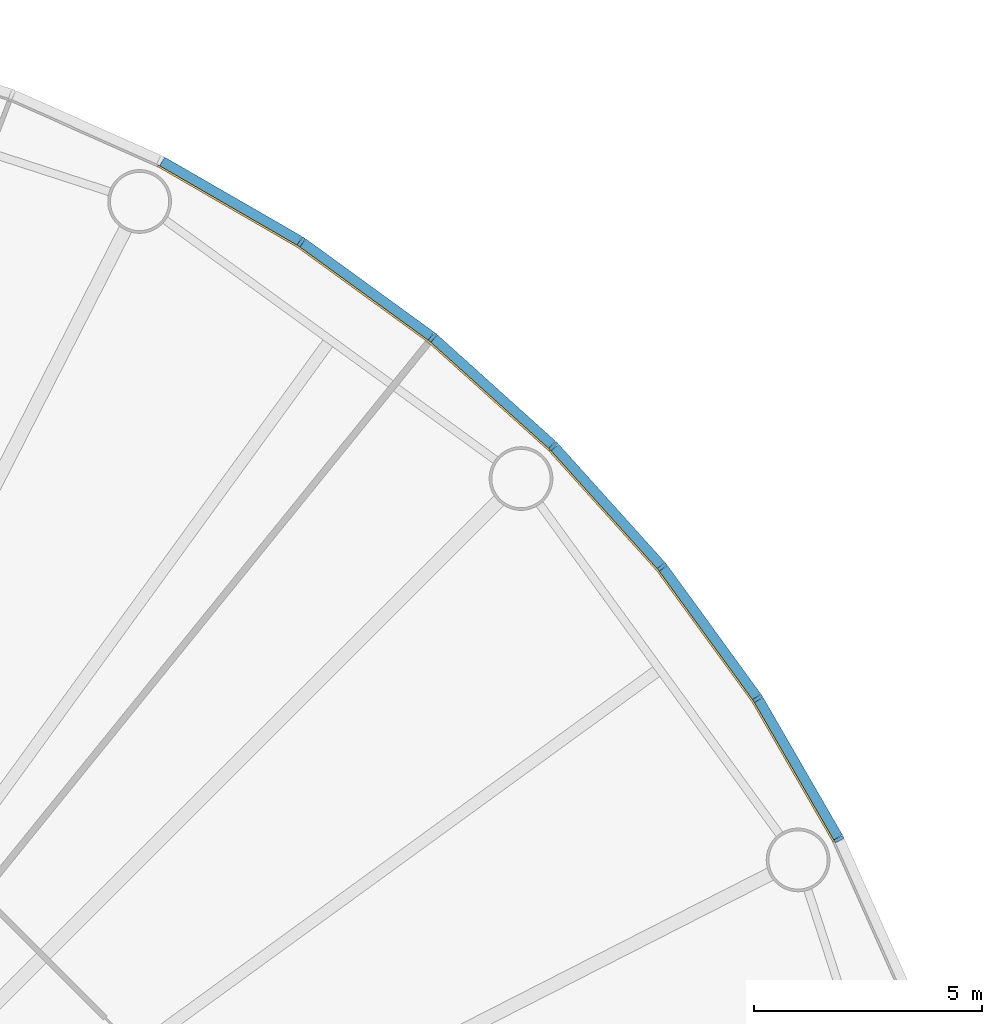
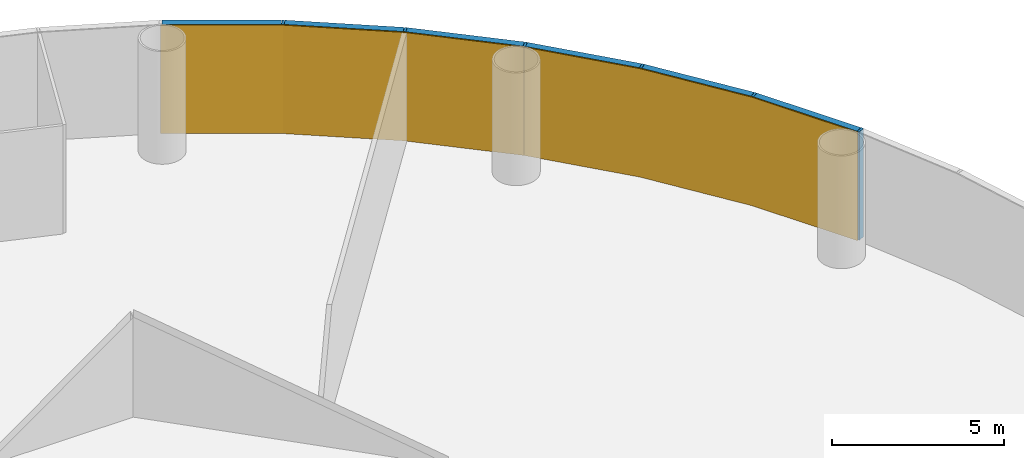
# One storey, part 10 of 13: 12 members, 2 curtain walls.
"""IFC4 building model written with IfcOpenShell, lengths in metres."""

import ifcopenshell
import ifcopenshell.guid

model = None  # the IFC model being written
_history = None  # IfcOwnerHistory: only IFC2X3 demands one
_inside = {}  # id of a spatial element -> (the spatial element, [elements in it])
_under = {}  # id of a project, library or spatial element -> (it, [spatial elements below it])
_declared = {}  # id of a project -> (the project, [libraries it declares])
_typed = {}  # id of a type object -> (the type object, [elements of that type])
_made_of = {}  # id of a material, layer set ... -> (it, [elements and type objects made of it])


def new_model(schema):
    """Start an empty IFC model of exactly this schema.

    Asked for "IFC4X3", IfcOpenShell would pick the latest addendum, in which some entities
    have other attributes; the version numbers below select the first issue.
    IFC2X3 requires an IfcOwnerHistory on every rooted entity: one is made here for all.
    """
    global model, _history
    if schema == "IFC4X3":
        model = ifcopenshell.file(schema_version=(4, 3, 0, 0))
    else:
        model = ifcopenshell.file(schema=schema)
    _inside.clear()
    _under.clear()
    _declared.clear()
    _typed.clear()
    _made_of.clear()
    _history = None
    if model.schema == "IFC2X3":
        org = make("IfcOrganization", Name="unknown")
        user = make(
            "IfcPersonAndOrganization",
            ThePerson=make("IfcPerson", FamilyName="unknown"),
            TheOrganization=org,
        )
        app = make(
            "IfcApplication",
            ApplicationDeveloper=org,
            Version="unknown",
            ApplicationFullName="unknown",
            ApplicationIdentifier="unknown",
        )
        _history = make(
            "IfcOwnerHistory",
            OwningUser=user,
            OwningApplication=app,
            ChangeAction="ADDED",
            CreationDate=0,
        )
    return model


def make(cls, **values):
    """One entity of the class cls with the attributes given. An attribute that is None is left unset."""
    return model.create_entity(
        cls, **{name: value for name, value in values.items() if value is not None}
    )


def rooted(cls, **values):
    """An entity with a GlobalId (a new one), such as an element, a storey or a relation."""
    return make(cls, GlobalId=ifcopenshell.guid.new(), OwnerHistory=_history, **values)


def si_unit(unit_type, name, prefix=None):
    """IfcSIUnit, for example si_unit("LENGTHUNIT", "METRE", prefix="MILLI")."""
    return make("IfcSIUnit", UnitType=unit_type, Prefix=prefix, Name=name)


def assignment(units):
    """IfcUnitAssignment: the units of a project."""
    return None if units is None else make("IfcUnitAssignment", Units=units)


def point(xyz):
    """IfcCartesianPoint."""
    return None if xyz is None else make("IfcCartesianPoint", Coordinates=xyz)


def direction(xyz):
    """IfcDirection."""
    return None if xyz is None else make("IfcDirection", DirectionRatios=xyz)


def frame(location, z_axis=None, x_axis=None):
    """IfcAxis2Placement3D, a coordinate frame: its origin and axes. An axis left out is left unset."""
    return make(
        "IfcAxis2Placement3D",
        Location=point(location),
        Axis=direction(z_axis),
        RefDirection=direction(x_axis),
    )


def frame_2d(location, x_axis=None):
    """IfcAxis2Placement2D, a coordinate frame in the plane: its origin and x axis."""
    return make(
        "IfcAxis2Placement2D", Location=point(location), RefDirection=direction(x_axis)
    )


def origin():
    """The frame at (0, 0, 0) with its axes left unset."""
    return frame((0.0, 0.0, 0.0))


def origin_2d():
    """The frame at (0, 0) in the plane with its x axis left unset."""
    return frame_2d((0.0, 0.0))


def place(relative_to, where):
    """IfcLocalPlacement: puts the frame where relative to a parent placement (None: the world)."""
    return make(
        "IfcLocalPlacement", PlacementRelTo=relative_to, RelativePlacement=where
    )


def context(
    kind, dimensions, precision=None, world=None, true_north=None, identifier=None
):
    """IfcGeometricRepresentationContext, for example the 3D "Model" context."""
    return make(
        "IfcGeometricRepresentationContext",
        ContextIdentifier=identifier,
        ContextType=kind,
        CoordinateSpaceDimension=dimensions,
        Precision=precision,
        WorldCoordinateSystem=world,
        TrueNorth=true_north,
    )


def subcontext(parent, identifier, kind, view, scale=None):
    """IfcGeometricRepresentationSubContext, for example "Body" below "Model"."""
    return make(
        "IfcGeometricRepresentationSubContext",
        ContextIdentifier=identifier,
        ContextType=kind,
        ParentContext=parent,
        TargetScale=scale,
        TargetView=view,
    )


def project(units=None, contexts=None):
    """IfcProject with its units and contexts."""
    return rooted(
        "IfcProject",
        Name="project",
        RepresentationContexts=contexts,
        UnitsInContext=assignment(units),
    )


def spatial(cls, under=None, at=None, **own):
    """A site, building, storey or space (cls), placed at a placement, below another one or the project."""
    s = rooted(cls, ObjectPlacement=at, **own)
    if under is not None:
        _under.setdefault(under.id(), (under, []))[1].append(s)
    return s


def polyline(points):
    """IfcPolyline through the points."""
    return make("IfcPolyline", Points=[point(p) for p in points])


def profile(cls, at=None, kind="AREA", **sizes):
    """A parametric profile (cls). Its sizes go by their IFC names, for example OverallWidth=200.0."""
    return make(cls, ProfileType=kind, Position=at, **sizes)


def rectangle(**sizes):
    """IfcRectangleProfileDef."""
    return profile("IfcRectangleProfileDef", **sizes)


def outline(outer, holes=None, kind="AREA"):
    """IfcArbitraryClosedProfileDef: a profile drawn as a closed curve; with holes, ...WithVoids."""
    if holes is None:
        return make("IfcArbitraryClosedProfileDef", ProfileType=kind, OuterCurve=outer)
    return make(
        "IfcArbitraryProfileDefWithVoids",
        ProfileType=kind,
        OuterCurve=outer,
        InnerCurves=holes,
    )


def extrude(swept, where, along, depth):
    """IfcExtrudedAreaSolid: the profile swept, set in the frame where, extruded along a direction by depth."""
    return make(
        "IfcExtrudedAreaSolid",
        SweptArea=swept,
        Position=where,
        ExtrudedDirection=direction(along),
        Depth=depth,
    )


def shape(context_of_items, identifier, shape_type, items):
    """IfcShapeRepresentation: the items that make up one representation, for example the "Body"."""
    return make(
        "IfcShapeRepresentation",
        ContextOfItems=context_of_items,
        RepresentationIdentifier=identifier,
        RepresentationType=shape_type,
        Items=items,
    )


def material(Name=None, Category=None):
    """IfcMaterial."""
    return make("IfcMaterial", Name=Name, Category=Category)


def layer(
    of_material, thickness, ventilated=None, Name=None, Category=None, Priority=None
):
    """IfcMaterialLayer: one layer of a wall or slab, of a material (None: an air gap)."""
    return make(
        "IfcMaterialLayer",
        Material=of_material,
        LayerThickness=thickness,
        IsVentilated=ventilated,
        Name=Name,
        Category=Category,
        Priority=Priority,
    )


def layer_set(layers, Name=None):
    """IfcMaterialLayerSet."""
    return make("IfcMaterialLayerSet", MaterialLayers=layers, LayerSetName=Name)


def material_profile(
    of_material, cross_section, Name=None, Category=None, Priority=None
):
    """IfcMaterialProfile: a cross section and its material."""
    return make(
        "IfcMaterialProfile",
        Name=Name,
        Material=of_material,
        Profile=cross_section,
        Priority=Priority,
        Category=Category,
    )


def profile_set(profiles, Name=None, composite=None):
    """IfcMaterialProfileSet."""
    return make(
        "IfcMaterialProfileSet",
        Name=Name,
        MaterialProfiles=profiles,
        CompositeProfile=composite,
    )


def made_of(thing, what):
    """Note that an element or type object is made of a material, layer set ...; save() writes the relation."""
    if what is not None:
        _made_of.setdefault(what.id(), (what, []))[1].append(thing)
    return thing


def type_object(cls, material=None, **own):
    """A type object (cls), such as IfcWallType, which elements share."""
    return made_of(rooted(cls, **own), material)


def element(
    cls,
    number,
    at=None,
    inside=None,
    cuts=None,
    type_object=None,
    material=None,
    context=None,
    identifier="Body",
    shape_type=None,
    held_by="IfcProductDefinitionShape",
    body=None,
    shapes=None,
    **own,
):
    """One element of the class cls, such as IfcWall. Its Tag is "e" and its number.

    at: its placement. inside: the storey or other place that contains it. cuts: it is an
    opening in that element (IfcRelVoidsElement). A single representation is given by context,
    identifier, shape_type and body (its items); several are given by shapes. held_by: the class
    of the entity that holds the representations. save() writes the other relations.
    """
    e = rooted(cls, Tag="e%d" % number, ObjectPlacement=at, **own)
    if body is not None:
        shapes = [shape(context, identifier, shape_type, body)]
    if shapes is not None:
        e.Representation = make(held_by, Representations=shapes)
    if inside is not None:
        _inside.setdefault(inside.id(), (inside, []))[1].append(e)
    if cuts is not None:
        rooted(
            "IfcRelVoidsElement", RelatingBuildingElement=cuts, RelatedOpeningElement=e
        )
    if type_object is not None:
        _typed.setdefault(type_object.id(), (type_object, []))[1].append(e)
    return made_of(e, material)


def aggregate(whole, parts):
    """IfcRelAggregates: a whole, such as a stair, and the parts it consists of."""
    return rooted("IfcRelAggregates", RelatingObject=whole, RelatedObjects=parts)


def save(model, path):
    """Write the relations noted so far, then the file.

    IfcRelAggregates (storeys below a building ...), IfcRelContainedInSpatialStructure (elements
    in a storey), IfcRelDefinesByType, IfcRelAssociatesMaterial and IfcRelDeclares: one each for
    every whole, place, type object, material and project.
    """
    for whole, parts in _under.values():
        aggregate(whole, parts)
    for where, things in _inside.values():
        rooted(
            "IfcRelContainedInSpatialStructure",
            RelatedElements=things,
            RelatingStructure=where,
        )
    for kind, things in _typed.values():
        rooted("IfcRelDefinesByType", RelatedObjects=things, RelatingType=kind)
    for what, things in _made_of.values():
        rooted("IfcRelAssociatesMaterial", RelatedObjects=things, RelatingMaterial=what)
    for by, libraries in _declared.values():
        rooted("IfcRelDeclares", RelatingContext=by, RelatedDefinitions=libraries)
    model.write(path)


model = new_model("IFC4")

# Units and contexts
model_context = context("Model", 3, precision=1e-05, world=origin(), true_north=direction((0.0, 1.0)))
body_context = subcontext(model_context, "Body", "Model", "MODEL_VIEW")
ifc_project = project(units=[si_unit("LENGTHUNIT", "METRE"), si_unit("AREAUNIT", "SQUARE_METRE"), si_unit("VOLUMEUNIT", "CUBIC_METRE"), si_unit("PLANEANGLEUNIT", "RADIAN"), si_unit("MASSUNIT", "GRAM", prefix="KILO")], contexts=[model_context])

# Member
ifc_material_1 = material(Name="Anodised aluminium", Category="aluminium")
ifc_material_profile_1 = material_profile(ifc_material_1, rectangle(XDim=0.074951171875, YDim=0.219970703125, at=origin_2d()), Name="Mullion 75 x 220 mm anodised aluminium")
ifc_profile_set_1 = profile_set([ifc_material_profile_1], Name="Anodised aluminium")
member_type_1 = type_object("IfcMemberType", Name="Mullion 75 x 220 mm anodised aluminium", PredefinedType="MULLION", material=ifc_profile_set_1)
site_placement = place(None, origin())
building_placement = place(site_placement, origin())
storey_placement = place(building_placement, frame((0.0, 0.0, 46.0)))
member_1_placement = place(storey_placement, frame((120.392333984375, 95.485595703125, 0.0), z_axis=(0.0, 0.0, 1.0), x_axis=(-0.45399049974, 0.891006524188, 0.0)))
member_1 = element("IfcMember", 1, at=member_1_placement, type_object=member_type_1, Name="MULLION L09-03", PredefinedType="MULLION", context=body_context, shape_type="SweptSolid", body=[
    extrude(rectangle(XDim=0.074951171875, YDim=0.219970703125, at=origin_2d()), origin(), (0.0, 0.0, 1.0), 3.85009765625),
])

member_2_placement = place(storey_placement, frame((118.60693359375, 98.57763671875, 0.0), z_axis=(0.0, 0.0, 1.0), x_axis=(-0.544639035015, 0.838670567945, 0.0)))
member_2 = element("IfcMember", 2, at=member_2_placement, type_object=member_type_1, Name="MULLION L09-04", PredefinedType="MULLION", context=body_context, shape_type="SweptSolid", body=[
    extrude(rectangle(XDim=0.074951171875, YDim=0.219970703125, at=origin_2d()), origin(), (0.0, 0.0, 1.0), 3.85009765625),
])

member_3_placement = place(storey_placement, frame((116.508544921875, 101.466064453125, 0.0), z_axis=(0.0, 0.0, 1.0), x_axis=(-0.62932039105, 0.777145961457, 0.0)))
member_3 = element("IfcMember", 3, at=member_3_placement, type_object=member_type_1, Name="MULLION L09-05", PredefinedType="MULLION", context=body_context, shape_type="SweptSolid", body=[
    extrude(rectangle(XDim=0.074951171875, YDim=0.219970703125, at=origin_2d()), origin(), (0.0, 0.0, 1.0), 3.85009765625),
])

member_4_placement = place(storey_placement, frame((114.119384765625, 104.119384765625, 0.0), z_axis=(0.0, 0.0, 1.0), x_axis=(-0.707106781187, 0.707106781187, 0.0)))
member_4 = element("IfcMember", 4, at=member_4_placement, type_object=member_type_1, Name="MULLION L09-06", PredefinedType="MULLION", context=body_context, shape_type="SweptSolid", body=[
    extrude(rectangle(XDim=0.074951171875, YDim=0.219970703125, at=origin_2d()), origin(), (0.0, 0.0, 1.0), 3.85009765625),
])

member_5_placement = place(storey_placement, frame((111.466064453125, 106.508544921875, 0.0), z_axis=(0.0, 0.0, 1.0), x_axis=(-0.777145961457, 0.62932039105, 0.0)))
member_5 = element("IfcMember", 5, at=member_5_placement, type_object=member_type_1, Name="MULLION L09-07", PredefinedType="MULLION", context=body_context, shape_type="SweptSolid", body=[
    extrude(rectangle(XDim=0.074951171875, YDim=0.219970703125, at=origin_2d()), origin(), (0.0, 0.0, 1.0), 3.85009765625),
])

member_6_placement = place(storey_placement, frame((108.57763671875, 108.60693359375, 0.0), z_axis=(0.0, 0.0, 1.0), x_axis=(-0.838670567945, 0.544639035015, 0.0)))
member_6 = element("IfcMember", 6, at=member_6_placement, type_object=member_type_1, Name="MULLION L09-08", PredefinedType="MULLION", context=body_context, shape_type="SweptSolid", body=[
    extrude(rectangle(XDim=0.074951171875, YDim=0.219970703125, at=origin_2d()), origin(), (0.0, 0.0, 1.0), 3.85009765625),
])

ifc_material_2 = material(Name="Anodised aluminium", Category="aluminium")
ifc_material_profile_2 = material_profile(ifc_material_2, rectangle(XDim=0.219970703125, YDim=0.199951171875, at=origin_2d()), Name="Transom 200 x 220 mm anodised aluminium")
ifc_profile_set_2 = profile_set([ifc_material_profile_2], Name="Anodised aluminium")
member_type_2 = type_object("IfcMemberType", Name="Transom 200 x 220 mm anodised aluminium", PredefinedType="USERDEFINED", material=ifc_profile_set_2)
member_7_placement = place(storey_placement, frame((120.370849609375, 95.523193359375, 3.75), z_axis=(-0.500005538244, 0.866022206254, 0.0), x_axis=(-0.866022206254, -0.500005538244, 0.0)))
member_7 = element("IfcMember", 7, at=member_7_placement, type_object=member_type_2, Name="TRANSOM L09-03", ObjectType="TRANSOM", PredefinedType="USERDEFINED", context=body_context, shape_type="SweptSolid", body=[
    extrude(rectangle(XDim=0.219970703125, YDim=0.199951171875, at=origin_2d()), origin(), (0.0, 0.0, 1.0), 3.48388671875),
])

member_8_placement = place(storey_placement, frame((118.581787109375, 98.61279296875, 3.75), z_axis=(-0.587821627006, 0.80899056535, 0.0), x_axis=(-0.80899056535, -0.587821627006, 0.0)))
member_8 = element("IfcMember", 8, at=member_8_placement, type_object=member_type_2, Name="TRANSOM L09-04", ObjectType="TRANSOM", PredefinedType="USERDEFINED", context=body_context, shape_type="SweptSolid", body=[
    extrude(rectangle(XDim=0.219970703125, YDim=0.199951171875, at=origin_2d()), origin(), (0.0, 0.0, 1.0), 3.48388671875),
])

member_9_placement = place(storey_placement, frame((116.479736328125, 101.498291015625, 3.75), z_axis=(-0.669138930974, 0.743137329876, 0.0), x_axis=(-0.743137329876, -0.669138930974, 0.0)))
member_9 = element("IfcMember", 9, at=member_9_placement, type_object=member_type_2, Name="TRANSOM L09-05", ObjectType="TRANSOM", PredefinedType="USERDEFINED", context=body_context, shape_type="SweptSolid", body=[
    extrude(rectangle(XDim=0.219970703125, YDim=0.199951171875, at=origin_2d()), origin(), (0.0, 0.0, 1.0), 3.484130859375),
])

member_10_placement = place(storey_placement, frame((114.08740234375, 104.1484375, 3.75), z_axis=(-0.743137329876, 0.669138930974, 0.0), x_axis=(-0.669138930974, -0.743137329876, 0.0)))
member_10 = element("IfcMember", 10, at=member_10_placement, type_object=member_type_2, Name="TRANSOM L09-06", ObjectType="TRANSOM", PredefinedType="USERDEFINED", context=body_context, shape_type="SweptSolid", body=[
    extrude(rectangle(XDim=0.219970703125, YDim=0.199951171875, at=origin_2d()), origin(), (0.0, 0.0, 1.0), 3.484130859375),
])

member_11_placement = place(storey_placement, frame((111.43115234375, 106.533935546875, 3.75), z_axis=(-0.80899056535, 0.587821627006, 0.0), x_axis=(-0.587821627006, -0.80899056535, 0.0)))
member_11 = element("IfcMember", 11, at=member_11_placement, type_object=member_type_2, Name="TRANSOM L09-07", ObjectType="TRANSOM", PredefinedType="USERDEFINED", context=body_context, shape_type="SweptSolid", body=[
    extrude(rectangle(XDim=0.219970703125, YDim=0.199951171875, at=origin_2d()), origin(), (0.0, 0.0, 1.0), 3.48388671875),
])

member_12_placement = place(storey_placement, frame((108.540283203125, 108.62890625, 3.75), z_axis=(-0.866022206254, 0.500005538244, 0.0), x_axis=(-0.500005538244, -0.866022206254, 0.0)))
member_12 = element("IfcMember", 12, at=member_12_placement, type_object=member_type_2, Name="TRANSOM L09-08", ObjectType="TRANSOM", PredefinedType="USERDEFINED", context=body_context, shape_type="SweptSolid", body=[
    extrude(rectangle(XDim=0.219970703125, YDim=0.199951171875, at=origin_2d()), origin(), (0.0, 0.0, 1.0), 3.48388671875),
])

# Site, building, storey
site = spatial("IfcSite", under=ifc_project, at=site_placement, CompositionType="ELEMENT")
building = spatial("IfcBuilding", under=site, at=building_placement, Name="Entoto Ring Tower", CompositionType="ELEMENT")
storey = spatial("IfcBuildingStorey", under=building, at=storey_placement, Name="L09", CompositionType="ELEMENT", Elevation=46.0)

# Curtain wall
ifc_material_3 = material(Name="Clear low-iron glass", Category="glass")
ifc_layer = layer(ifc_material_3, 0.0400390625)
ifc_layer_set = layer_set([ifc_layer], Name="Clear low-iron glass")
curtain_wall_type = type_object("IfcCurtainWallType", Name="Curtain wall system CW1 glazing 40 mm", PredefinedType="NOTDEFINED", material=ifc_layer_set)
curtain_wall_1_placement = place(storey_placement, origin())
curtain_wall_1 = element("IfcCurtainWall", 13, at=curtain_wall_1_placement, inside=storey, type_object=curtain_wall_type, Name="CW1 L09-02", PredefinedType="NOTDEFINED", context=body_context, shape_type="SweptSolid", body=[
    extrude(outline(polyline([(120.294189453125, 95.435791015625), (118.514892578125, 98.517822265625), (116.4228515625, 101.39697265625), (114.041748046875, 104.041748046875), (114.013427734375, 104.013427734375), (116.391845703125, 101.37158203125), (118.481201171875, 98.495849609375), (120.258544921875, 95.41748046875), (120.294189453125, 95.435791015625)])), origin(), (0.0, 0.0, 1.0), 3.85009765625),
])

aggregate(curtain_wall_1, [member_1, member_2, member_3, member_7, member_8, member_9])

curtain_wall_2_placement = place(storey_placement, origin())
curtain_wall_2 = element("IfcCurtainWall", 14, at=curtain_wall_2_placement, inside=storey, type_object=curtain_wall_type, Name="CW1 L09-03", PredefinedType="NOTDEFINED", context=body_context, shape_type="SweptSolid", body=[
    extrude(outline(polyline([(114.041748046875, 104.041748046875), (111.39697265625, 106.4228515625), (108.517822265625, 108.514892578125), (105.435791015625, 110.294189453125), (105.41748046875, 110.258544921875), (108.495849609375, 108.481201171875), (111.37158203125, 106.391845703125), (114.013427734375, 104.013427734375), (114.041748046875, 104.041748046875)])), origin(), (0.0, 0.0, 1.0), 3.85009765625),
])

aggregate(curtain_wall_2, [member_4, member_5, member_6, member_10, member_11, member_12])

save(model, "model.ifc")
